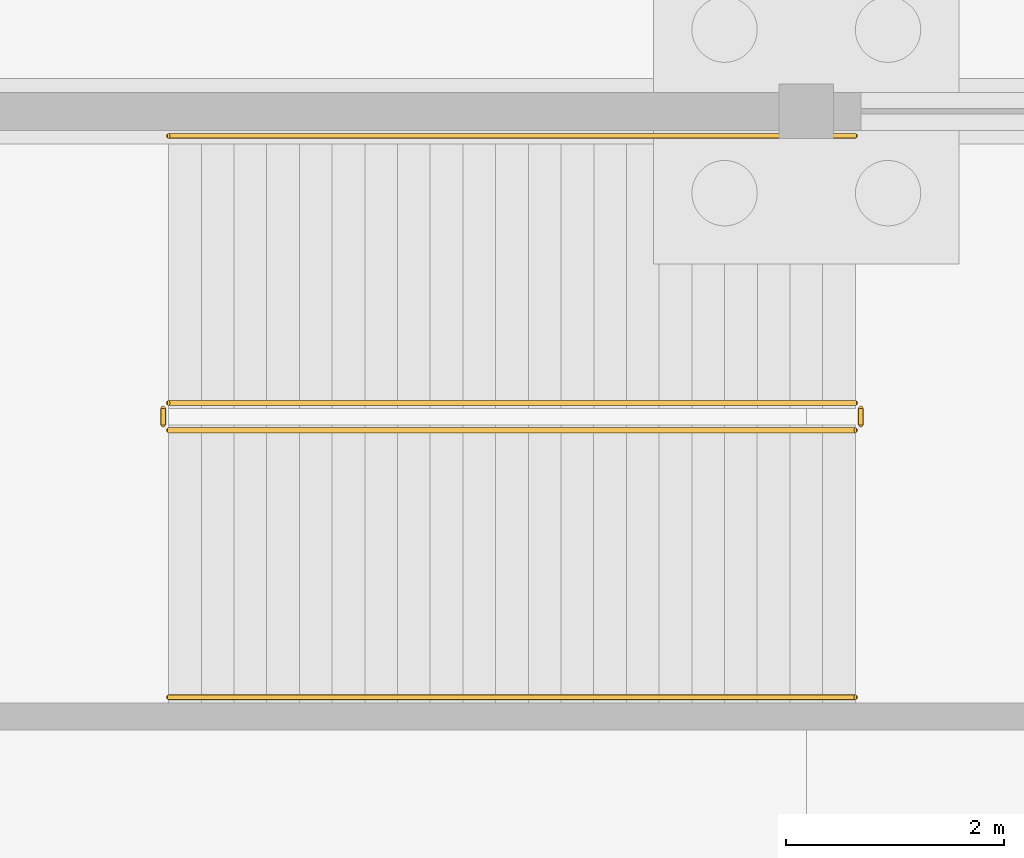
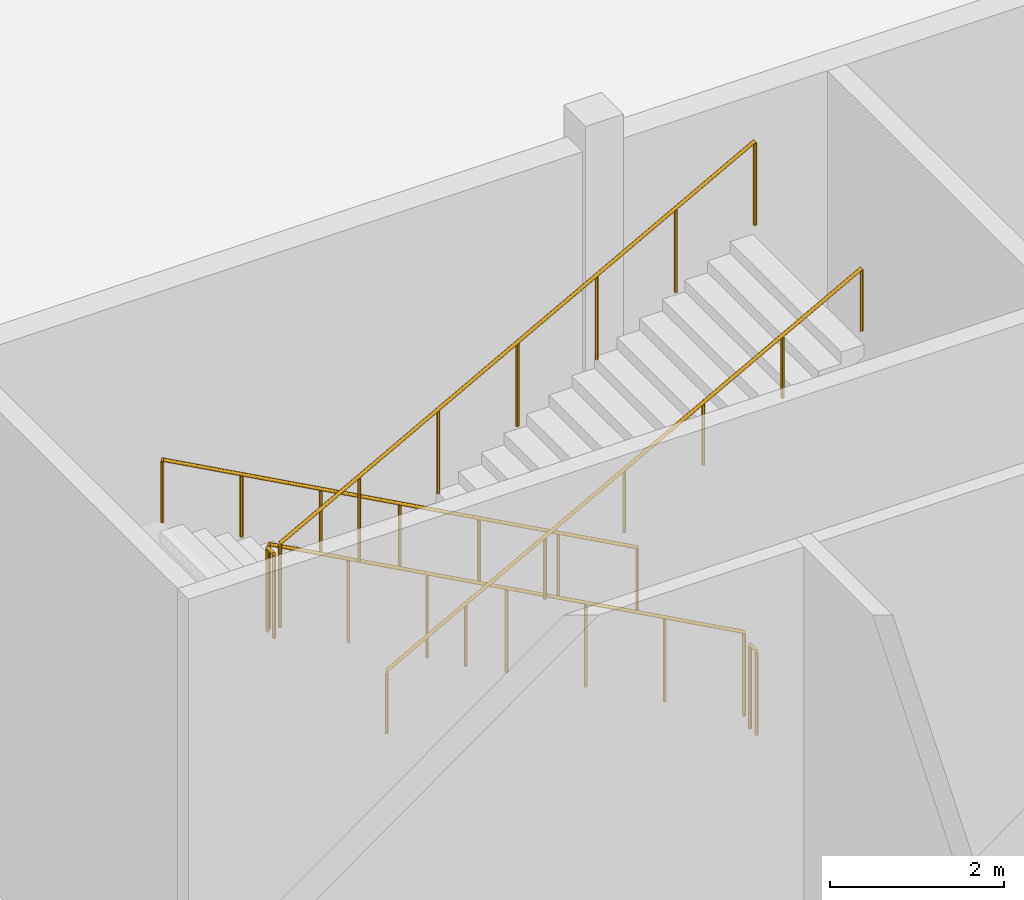
# One storey, part 227 of 239: 6 railings.
"""IFC4 building model written with IfcOpenShell, lengths in metres."""

from ifc_helpers import new_model, si_unit, direction, frame, origin, origin_2d, place, context, subcontext, project, spatial, circle, extrude, material, type_object, element, save


model = new_model("IFC4")

# Units and contexts
model_context = context("Model", 3, precision=1e-05, world=origin(), true_north=direction((0.0, 1.0)))
body_context = subcontext(model_context, "Body", "Model", "MODEL_VIEW")
ifc_project = project(units=[si_unit("LENGTHUNIT", "METRE"), si_unit("AREAUNIT", "SQUARE_METRE"), si_unit("VOLUMEUNIT", "CUBIC_METRE"), si_unit("PLANEANGLEUNIT", "RADIAN"), si_unit("MASSUNIT", "GRAM", prefix="KILO")], contexts=[model_context])

# Site, building, storey
site_placement = place(None, origin())
site = spatial("IfcSite", under=ifc_project, at=site_placement, CompositionType="ELEMENT")
building_placement = place(site_placement, origin())
building = spatial("IfcBuilding", under=site, at=building_placement, Name="Okhra Congress Centre", CompositionType="ELEMENT")
storey_placement = place(building_placement, origin())
storey = spatial("IfcBuildingStorey", under=building, at=storey_placement, Name="L00", CompositionType="ELEMENT", Elevation=0.0)

# Railings
ifc_material_1 = material(Name="Painted steel tube handrail on wall brackets", Category="steel")
railing_type_1 = type_object("IfcRailingType", Name="Steel handrail 900", PredefinedType="HANDRAIL", material=ifc_material_1)
railing_1_placement = place(storey_placement, frame((91.449951171875, 227.77490234375, 0.16357421875)))
element("IfcRailing", 1, at=railing_1_placement, inside=storey, type_object=railing_type_1, Name="L00 ES2 stair handrail 1", PredefinedType="HANDRAIL", context=body_context, shape_type="SweptSolid", body=[
    extrude(circle(Radius=0.02392578125, at=origin_2d()), frame((0.0, 0.0, 0.8759765625), z_axis=(-0.877887772019, 0.0, 0.478866432046), x_axis=(0.0, -1.0, 0.0)), (0.0, 0.0, 1.0), 7.17626953125),
    extrude(circle(Radius=0.02099609375, at=origin_2d()), origin(), (0.0, 0.0, 1.0), 0.851806640625),
    extrude(circle(Radius=0.02099609375, at=origin_2d()), frame((-1.050048828125, 0.0, 0.57275390625)), (0.0, 0.0, 1.0), 0.851806640625),
    extrude(circle(Radius=0.02099609375, at=origin_2d()), frame((-2.10009765625, 0.0, 1.1455078125)), (0.0, 0.0, 1.0), 0.851806640625),
    extrude(circle(Radius=0.02099609375, at=origin_2d()), frame((-3.14990234375, 0.0, 1.71826171875)), (0.0, 0.0, 1.0), 0.851806640625),
    extrude(circle(Radius=0.02099609375, at=origin_2d()), frame((-4.199951171875, 0.0, 2.291015625)), (0.0, 0.0, 1.0), 0.851806640625),
    extrude(circle(Radius=0.02099609375, at=origin_2d()), frame((-5.25, 0.0, 2.86376953125)), (0.0, 0.0, 1.0), 0.851806640625),
    extrude(circle(Radius=0.02099609375, at=origin_2d()), frame((-6.300048828125, 0.0, 3.4365234375)), (0.0, 0.0, 1.0), 0.851806640625),
])
railing_2_placement = place(storey_placement, frame((85.14990234375, 222.625, 3.763671875)))
element("IfcRailing", 2, at=railing_2_placement, inside=storey, type_object=railing_type_1, Name="L00 ES2 stair handrail 2", PredefinedType="HANDRAIL", context=body_context, shape_type="SweptSolid", body=[
    extrude(circle(Radius=0.02392578125, at=origin_2d()), frame((0.0, 0.0, 0.8759765625), z_axis=(0.877902073589, 0.0, 0.478840212585), x_axis=(0.0, 1.0, 0.0)), (0.0, 0.0, 1.0), 7.17626953125),
    extrude(circle(Radius=0.02099609375, at=origin_2d()), origin(), (0.0, 0.0, 1.0), 0.851806640625),
    extrude(circle(Radius=0.02099609375, at=origin_2d()), frame((1.050048828125, 0.0, 0.57275390625)), (0.0, 0.0, 1.0), 0.851806640625),
    extrude(circle(Radius=0.02099609375, at=origin_2d()), frame((2.10009765625, 0.0, 1.1455078125)), (0.0, 0.0, 1.0), 0.851806640625),
    extrude(circle(Radius=0.02099609375, at=origin_2d()), frame((3.14990234375, 0.0, 1.71826171875)), (0.0, 0.0, 1.0), 0.851806640625),
    extrude(circle(Radius=0.02099609375, at=origin_2d()), frame((4.199951171875, 0.0, 2.290771484375)), (0.0, 0.0, 1.0), 0.851806640625),
    extrude(circle(Radius=0.02099609375, at=origin_2d()), frame((5.25, 0.0, 2.863525390625)), (0.0, 0.0, 1.0), 0.851806640625),
    extrude(circle(Radius=0.02099609375, at=origin_2d()), frame((6.300048828125, 0.0, 3.436279296875)), (0.0, 0.0, 1.0), 0.851806640625),
])
ifc_material_2 = material(Name="Painted steel tube guard with vertical steel balusters", Category="steel")
railing_type_2 = type_object("IfcRailingType", Name="Steel stair guard 1200", PredefinedType="GUARDRAIL", material=ifc_material_2)
railing_3_placement = place(storey_placement, frame((91.449951171875, 225.324951171875, 0.16357421875)))
element("IfcRailing", 3, at=railing_3_placement, inside=storey, type_object=railing_type_2, Name="L00 ES2 stair guard 1", PredefinedType="GUARDRAIL", context=body_context, shape_type="SweptSolid", body=[
    extrude(circle(Radius=0.02392578125, at=origin_2d()), frame((0.0, 0.0, 1.17578125), z_axis=(-0.877887772019, 0.0, 0.478866432046), x_axis=(0.0, -1.0, 0.0)), (0.0, 0.0, 1.0), 7.17626953125),
    extrude(circle(Radius=0.02099609375, at=origin_2d()), origin(), (0.0, 0.0, 1.0), 1.15185546875),
    extrude(circle(Radius=0.02099609375, at=origin_2d()), frame((-1.050048828125, 0.0, 0.57275390625)), (0.0, 0.0, 1.0), 1.15185546875),
    extrude(circle(Radius=0.02099609375, at=origin_2d()), frame((-2.10009765625, 0.0, 1.1455078125)), (0.0, 0.0, 1.0), 1.15185546875),
    extrude(circle(Radius=0.02099609375, at=origin_2d()), frame((-3.14990234375, 0.0, 1.71826171875)), (0.0, 0.0, 1.0), 1.15185546875),
    extrude(circle(Radius=0.02099609375, at=origin_2d()), frame((-4.199951171875, 0.0, 2.291015625)), (0.0, 0.0, 1.0), 1.15185546875),
    extrude(circle(Radius=0.02099609375, at=origin_2d()), frame((-5.25, 0.0, 2.86376953125)), (0.0, 0.0, 1.0), 1.15185546875),
    extrude(circle(Radius=0.02099609375, at=origin_2d()), frame((-6.300048828125, 0.0, 3.4365234375)), (0.0, 0.0, 1.0), 1.15185546875),
])
railing_4_placement = place(storey_placement, frame((85.10009765625, 225.27490234375, 3.60009765625)))
element("IfcRailing", 4, at=railing_4_placement, inside=storey, type_object=railing_type_2, Name="L00 ES2 stair guard 2", PredefinedType="GUARDRAIL", context=body_context, shape_type="SweptSolid", body=[
    extrude(circle(Radius=0.02392578125, at=origin_2d()), frame((0.0, 0.0, 1.17578125), z_axis=(0.0, -1.0, 0.0), x_axis=(1.0, 0.0, 0.0)), (0.0, 0.0, 1.0), 0.14990234375),
    extrude(circle(Radius=0.02099609375, at=origin_2d()), origin(), (0.0, 0.0, 1.0), 1.15185546875),
    extrude(circle(Radius=0.02099609375, at=origin_2d()), frame((0.0, -0.14990234375, 0.0)), (0.0, 0.0, 1.0), 1.15185546875),
])
railing_5_placement = place(storey_placement, frame((85.14990234375, 225.074951171875, 3.763671875)))
element("IfcRailing", 5, at=railing_5_placement, inside=storey, type_object=railing_type_2, Name="L00 ES2 stair guard 3", PredefinedType="GUARDRAIL", context=body_context, shape_type="SweptSolid", body=[
    extrude(circle(Radius=0.02392578125, at=origin_2d()), frame((0.0, 0.0, 1.17578125), z_axis=(0.877902073589, 0.0, 0.478840212585), x_axis=(0.0, 1.0, 0.0)), (0.0, 0.0, 1.0), 7.17626953125),
    extrude(circle(Radius=0.02099609375, at=origin_2d()), origin(), (0.0, 0.0, 1.0), 1.15185546875),
    extrude(circle(Radius=0.02099609375, at=origin_2d()), frame((1.050048828125, 0.0, 0.57275390625)), (0.0, 0.0, 1.0), 1.15185546875),
    extrude(circle(Radius=0.02099609375, at=origin_2d()), frame((2.10009765625, 0.0, 1.1455078125)), (0.0, 0.0, 1.0), 1.15185546875),
    extrude(circle(Radius=0.02099609375, at=origin_2d()), frame((3.14990234375, 0.0, 1.71826171875)), (0.0, 0.0, 1.0), 1.15185546875),
    extrude(circle(Radius=0.02099609375, at=origin_2d()), frame((4.199951171875, 0.0, 2.290771484375)), (0.0, 0.0, 1.0), 1.15185546875),
    extrude(circle(Radius=0.02099609375, at=origin_2d()), frame((5.25, 0.0, 2.863525390625)), (0.0, 0.0, 1.0), 1.15185546875),
    extrude(circle(Radius=0.02099609375, at=origin_2d()), frame((6.300048828125, 0.0, 3.436279296875)), (0.0, 0.0, 1.0), 1.15185546875),
])
railing_6_placement = place(storey_placement, frame((91.5, 225.27490234375, 0.0)))
element("IfcRailing", 6, at=railing_6_placement, inside=storey, type_object=railing_type_2, Name="L00 ES2 stair guard 4", PredefinedType="GUARDRAIL", context=body_context, shape_type="SweptSolid", body=[
    extrude(circle(Radius=0.02392578125, at=origin_2d()), frame((0.0, 0.0, 1.17578125), z_axis=(0.0, -1.0, 0.0), x_axis=(1.0, 0.0, 0.0)), (0.0, 0.0, 1.0), 0.14990234375),
    extrude(circle(Radius=0.02099609375, at=origin_2d()), origin(), (0.0, 0.0, 1.0), 1.15185546875),
    extrude(circle(Radius=0.02099609375, at=origin_2d()), frame((0.0, -0.14990234375, 0.0)), (0.0, 0.0, 1.0), 1.15185546875),
])

save(model, "model.ifc")
